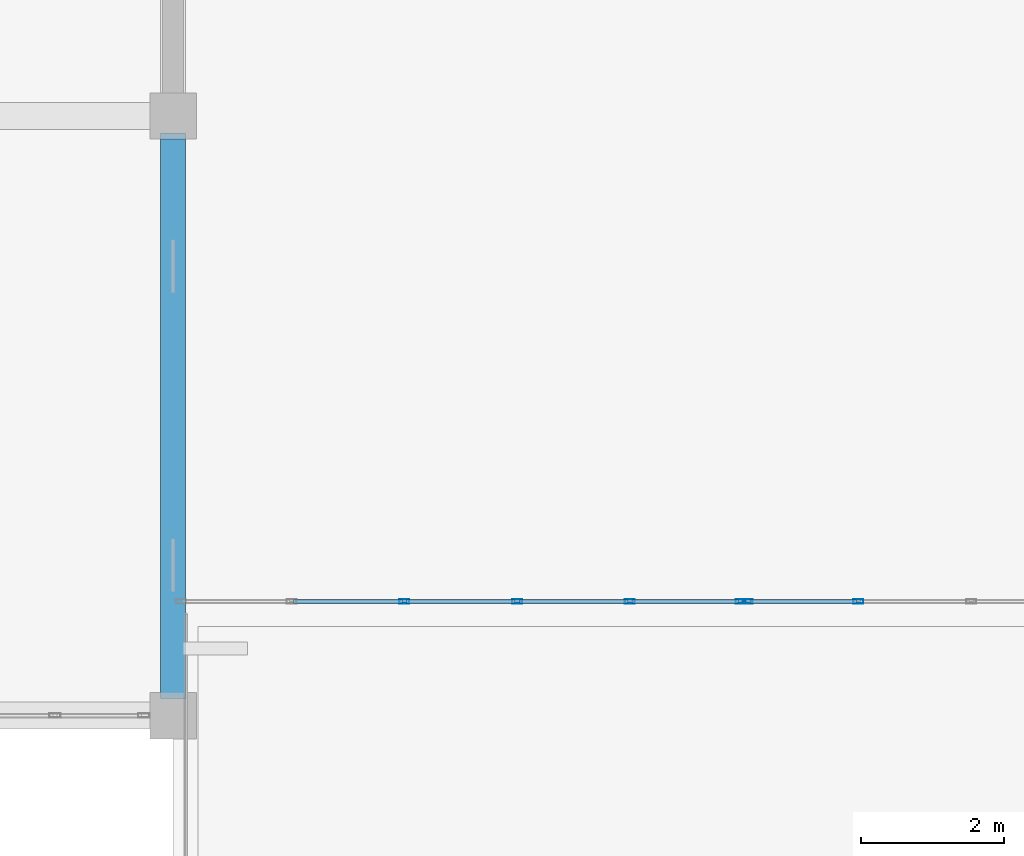
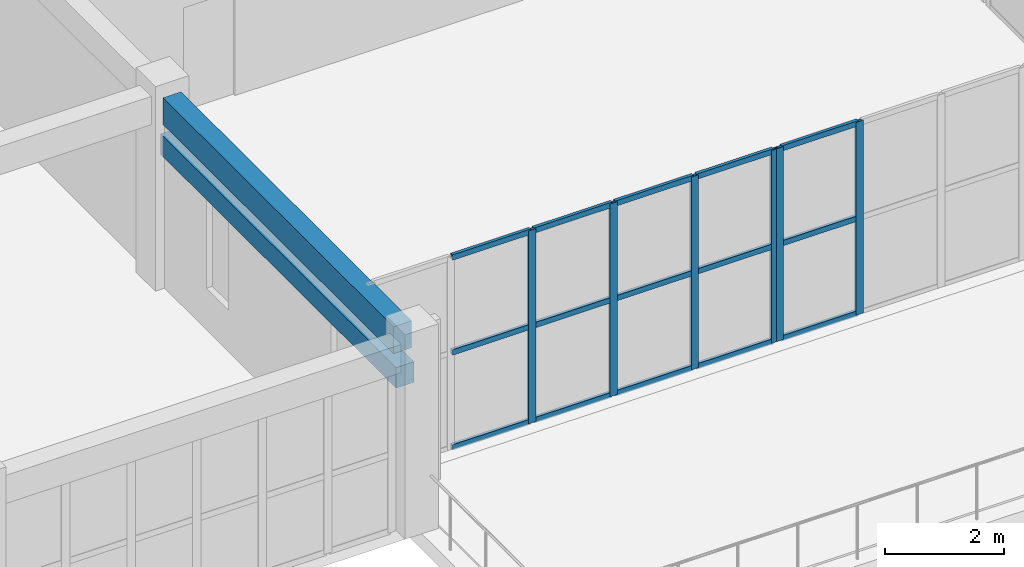
# One storey, part 27 of 90: 21 members, 2 beams, 2 elements without a shape of their own.
"""IFC4 building model written with IfcOpenShell, lengths in metres."""

from ifc_helpers import new_model, si_unit, direction, frame, origin, origin_2d, place, context, subcontext, project, spatial, rectangle, hollow_rectangle, extrude, material, layer, layer_set, material_profile, profile_set, type_object, element, aggregate, save


model = new_model("IFC4")

# Units and contexts
model_context = context("Model", 3, precision=1e-05, world=origin(), true_north=direction((0.0, 1.0)))
body_context = subcontext(model_context, "Body", "Model", "MODEL_VIEW")
ifc_project = project(units=[si_unit("LENGTHUNIT", "METRE"), si_unit("AREAUNIT", "SQUARE_METRE"), si_unit("VOLUMEUNIT", "CUBIC_METRE"), si_unit("PLANEANGLEUNIT", "RADIAN"), si_unit("MASSUNIT", "GRAM", prefix="KILO")], contexts=[model_context])

# Site, building, storey
site_placement = place(None, origin())
site = spatial("IfcSite", under=ifc_project, at=site_placement, CompositionType="ELEMENT")
building_placement = place(site_placement, origin())
building = spatial("IfcBuilding", under=site, at=building_placement, Name="Trelvath General Hospital", CompositionType="ELEMENT")
storey_placement = place(building_placement, frame((0.0, 0.0, 20.39990234375)))
storey = spatial("IfcBuildingStorey", under=building, at=storey_placement, Name="L05", CompositionType="ELEMENT", Elevation=20.39990234375)

# Beam
ifc_material_1 = material(Name="Concrete C35/45", Category="concrete")
ifc_material_profile_1 = material_profile(ifc_material_1, rectangle(XDim=0.35009765625, YDim=0.550048828125, at=origin_2d()), Name="RCB350x550")
ifc_profile_set_1 = profile_set([ifc_material_profile_1], Name="Concrete C35/45")
beam_type_1 = type_object("IfcBeamType", Name="Beam RC350x550", PredefinedType="BEAM", material=ifc_profile_set_1)
beam_1_placement = place(storey_placement, frame((92.39990234375, 42.320068359375, 3.64501953125), z_axis=(0.0, 1.0, 0.0), x_axis=(-1.0, 0.0, 0.0)))
element("IfcBeam", 1, at=beam_1_placement, inside=storey, type_object=beam_type_1, Name="Grid Beam BY-511F", PredefinedType="BEAM", context=body_context, shape_type="SweptSolid", body=[
    extrude(rectangle(XDim=0.35009765625, YDim=0.550048828125, at=origin_2d()), origin(), (0.0, 0.0, 1.0), 7.760009765625),
])

# Curtain wall, members
ifc_material_2 = material(Name="Anodised aluminium and low-E glass", Category="aluminium")
ifc_layer = layer(ifc_material_2, 0.14990234375)
ifc_layer_set = layer_set([ifc_layer], Name="Anodised aluminium and low-E glass")
curtain_wall_type = type_object("IfcCurtainWallType", Name="CW CrystalCube 790 396 15", PredefinedType="USERDEFINED", material=ifc_layer_set)
curtain_wall_1_placement = place(storey_placement, origin())
curtain_wall_1 = element("IfcCurtainWall", 2, at=curtain_wall_1_placement, inside=storey, type_object=curtain_wall_type, Name="Crystal Cube Curtain Wall CUBE-E-T2 S1 L05", ObjectType="Unitised Glazed Curtain Wall", PredefinedType="USERDEFINED")
ifc_material_3 = material(Name="Anodised aluminium", Category="aluminium")
ifc_material_profile_2 = material_profile(ifc_material_3, hollow_rectangle(XDim=0.06005859375, YDim=0.139892578125, WallThickness=0.00390625, at=origin_2d()), Name="RHS60x140x4")
ifc_profile_set_2 = profile_set([ifc_material_profile_2], Name="Anodised aluminium")
member_type_1 = type_object("IfcMemberType", Name="CurtainMullion 60x140", PredefinedType="MULLION", material=ifc_profile_set_2)
member_1_placement = place(storey_placement, frame((100.35009765625, 43.60009765625, 0.0), z_axis=(0.0, 0.0, 1.0), x_axis=(0.0, -1.0, 0.0)))
member_1 = element("IfcMember", 3, at=member_1_placement, type_object=member_type_1, Name="CW-315 mullion 1", PredefinedType="MULLION", context=body_context, shape_type="SweptSolid", body=[
    extrude(hollow_rectangle(XDim=0.06005859375, YDim=0.139892578125, WallThickness=0.00390625, at=origin_2d()), origin(), (0.0, 0.0, 1.0), 3.960205078125),
])
member_2_placement = place(storey_placement, frame((98.800048828125, 43.60009765625, 0.0), z_axis=(0.0, 0.0, 1.0), x_axis=(0.0, -1.0, 0.0)))
member_2 = element("IfcMember", 4, at=member_2_placement, type_object=member_type_1, Name="CW-315 mullion 2", PredefinedType="MULLION", context=body_context, shape_type="SweptSolid", body=[
    extrude(hollow_rectangle(XDim=0.06005859375, YDim=0.139892578125, WallThickness=0.00390625, at=origin_2d()), origin(), (0.0, 0.0, 1.0), 3.960205078125),
])
member_3_placement = place(storey_placement, frame((97.219970703125, 43.60009765625, 0.0), z_axis=(0.0, 0.0, 1.0), x_axis=(0.0, -1.0, 0.0)))
member_3 = element("IfcMember", 5, at=member_3_placement, type_object=member_type_1, Name="CW-315 mullion 3", PredefinedType="MULLION", context=body_context, shape_type="SweptSolid", body=[
    extrude(hollow_rectangle(XDim=0.06005859375, YDim=0.139892578125, WallThickness=0.00390625, at=origin_2d()), origin(), (0.0, 0.0, 1.0), 3.960205078125),
])
member_4_placement = place(storey_placement, frame((95.639892578125, 43.60009765625, 0.0), z_axis=(0.0, 0.0, 1.0), x_axis=(0.0, -1.0, 0.0)))
member_4 = element("IfcMember", 6, at=member_4_placement, type_object=member_type_1, Name="CW-315 mullion 4", PredefinedType="MULLION", context=body_context, shape_type="SweptSolid", body=[
    extrude(hollow_rectangle(XDim=0.06005859375, YDim=0.139892578125, WallThickness=0.00390625, at=origin_2d()), origin(), (0.0, 0.0, 1.0), 3.960205078125),
])

curtain_wall_2_placement = place(storey_placement, origin())
curtain_wall_2 = element("IfcCurtainWall", 7, at=curtain_wall_2_placement, inside=storey, type_object=curtain_wall_type, Name="Crystal Cube Curtain Wall CUBE-E-T2 S2 L05", ObjectType="Unitised Glazed Curtain Wall", PredefinedType="USERDEFINED")
member_5_placement = place(storey_placement, frame((102.0, 43.60009765625, 0.0), z_axis=(0.0, 0.0, 1.0), x_axis=(0.0, -1.0, 0.0)))
member_5 = element("IfcMember", 8, at=member_5_placement, type_object=member_type_1, Name="CW-316 mullion 5", PredefinedType="MULLION", context=body_context, shape_type="SweptSolid", body=[
    extrude(hollow_rectangle(XDim=0.06005859375, YDim=0.139892578125, WallThickness=0.00390625, at=origin_2d()), origin(), (0.0, 0.0, 1.0), 3.960205078125),
])
member_6_placement = place(storey_placement, frame((100.449951171875, 43.60009765625, 0.0), z_axis=(0.0, 0.0, 1.0), x_axis=(0.0, -1.0, 0.0)))
member_6 = element("IfcMember", 9, at=member_6_placement, type_object=member_type_1, Name="CW-316 mullion 6", PredefinedType="MULLION", context=body_context, shape_type="SweptSolid", body=[
    extrude(hollow_rectangle(XDim=0.06005859375, YDim=0.139892578125, WallThickness=0.00390625, at=origin_2d()), origin(), (0.0, 0.0, 1.0), 3.960205078125),
])

# Member
ifc_material_4 = material(Name="Anodised aluminium", Category="aluminium")
ifc_material_profile_3 = material_profile(ifc_material_4, hollow_rectangle(XDim=0.06005859375, YDim=0.110107421875, WallThickness=0.00390625, at=origin_2d()), Name="RHS60x110x4")
ifc_profile_set_3 = profile_set([ifc_material_profile_3], Name="Anodised aluminium")
member_type_2 = type_object("IfcMemberType", Name="CurtainTransom 60x110", PredefinedType="USERDEFINED", material=ifc_profile_set_3)
member_7_placement = place(storey_placement, frame((100.320068359375, 43.60009765625, 0.030029296875), z_axis=(-1.0, 0.0, 0.0), x_axis=(0.0, -1.0, 0.0)))
member_7 = element("IfcMember", 10, at=member_7_placement, type_object=member_type_2, Name="CW-315 transom 1.1", ObjectType="TRANSOM", PredefinedType="USERDEFINED", context=body_context, shape_type="SweptSolid", body=[
    extrude(hollow_rectangle(XDim=0.06005859375, YDim=0.110107421875, WallThickness=0.00390625, at=origin_2d()), origin(), (0.0, 0.0, 1.0), 1.489990234375),
])

member_8_placement = place(storey_placement, frame((100.320068359375, 43.60009765625, 1.97998046875), z_axis=(-1.0, 0.0, 0.0), x_axis=(0.0, -1.0, 0.0)))
member_8 = element("IfcMember", 11, at=member_8_placement, type_object=member_type_2, Name="CW-315 transom 1.2", ObjectType="TRANSOM", PredefinedType="USERDEFINED", context=body_context, shape_type="SweptSolid", body=[
    extrude(hollow_rectangle(XDim=0.06005859375, YDim=0.110107421875, WallThickness=0.00390625, at=origin_2d()), origin(), (0.0, 0.0, 1.0), 1.489990234375),
])

member_9_placement = place(storey_placement, frame((100.320068359375, 43.60009765625, 3.93017578125), z_axis=(-1.0, 0.0, 0.0), x_axis=(0.0, -1.0, 0.0)))
member_9 = element("IfcMember", 12, at=member_9_placement, type_object=member_type_2, Name="CW-315 transom 1.3", ObjectType="TRANSOM", PredefinedType="USERDEFINED", context=body_context, shape_type="SweptSolid", body=[
    extrude(hollow_rectangle(XDim=0.06005859375, YDim=0.110107421875, WallThickness=0.00390625, at=origin_2d()), origin(), (0.0, 0.0, 1.0), 1.489990234375),
])

member_10_placement = place(storey_placement, frame((98.77001953125, 43.60009765625, 0.030029296875), z_axis=(-1.0, 0.0, 0.0), x_axis=(0.0, -1.0, 0.0)))
member_10 = element("IfcMember", 13, at=member_10_placement, type_object=member_type_2, Name="CW-315 transom 2.1", ObjectType="TRANSOM", PredefinedType="USERDEFINED", context=body_context, shape_type="SweptSolid", body=[
    extrude(hollow_rectangle(XDim=0.06005859375, YDim=0.110107421875, WallThickness=0.00390625, at=origin_2d()), origin(), (0.0, 0.0, 1.0), 1.52001953125),
])

member_11_placement = place(storey_placement, frame((98.77001953125, 43.60009765625, 1.97998046875), z_axis=(-1.0, 0.0, 0.0), x_axis=(0.0, -1.0, 0.0)))
member_11 = element("IfcMember", 14, at=member_11_placement, type_object=member_type_2, Name="CW-315 transom 2.2", ObjectType="TRANSOM", PredefinedType="USERDEFINED", context=body_context, shape_type="SweptSolid", body=[
    extrude(hollow_rectangle(XDim=0.06005859375, YDim=0.110107421875, WallThickness=0.00390625, at=origin_2d()), origin(), (0.0, 0.0, 1.0), 1.52001953125),
])

member_12_placement = place(storey_placement, frame((98.77001953125, 43.60009765625, 3.93017578125), z_axis=(-1.0, 0.0, 0.0), x_axis=(0.0, -1.0, 0.0)))
member_12 = element("IfcMember", 15, at=member_12_placement, type_object=member_type_2, Name="CW-315 transom 2.3", ObjectType="TRANSOM", PredefinedType="USERDEFINED", context=body_context, shape_type="SweptSolid", body=[
    extrude(hollow_rectangle(XDim=0.06005859375, YDim=0.110107421875, WallThickness=0.00390625, at=origin_2d()), origin(), (0.0, 0.0, 1.0), 1.52001953125),
])

member_13_placement = place(storey_placement, frame((97.18994140625, 43.60009765625, 0.030029296875), z_axis=(-1.0, 0.0, 0.0), x_axis=(0.0, -1.0, 0.0)))
member_13 = element("IfcMember", 16, at=member_13_placement, type_object=member_type_2, Name="CW-315 transom 3.1", ObjectType="TRANSOM", PredefinedType="USERDEFINED", context=body_context, shape_type="SweptSolid", body=[
    extrude(hollow_rectangle(XDim=0.06005859375, YDim=0.110107421875, WallThickness=0.00390625, at=origin_2d()), origin(), (0.0, 0.0, 1.0), 1.52001953125),
])

member_14_placement = place(storey_placement, frame((97.18994140625, 43.60009765625, 1.97998046875), z_axis=(-1.0, 0.0, 0.0), x_axis=(0.0, -1.0, 0.0)))
member_14 = element("IfcMember", 17, at=member_14_placement, type_object=member_type_2, Name="CW-315 transom 3.2", ObjectType="TRANSOM", PredefinedType="USERDEFINED", context=body_context, shape_type="SweptSolid", body=[
    extrude(hollow_rectangle(XDim=0.06005859375, YDim=0.110107421875, WallThickness=0.00390625, at=origin_2d()), origin(), (0.0, 0.0, 1.0), 1.52001953125),
])

member_15_placement = place(storey_placement, frame((97.18994140625, 43.60009765625, 3.93017578125), z_axis=(-1.0, 0.0, 0.0), x_axis=(0.0, -1.0, 0.0)))
member_15 = element("IfcMember", 18, at=member_15_placement, type_object=member_type_2, Name="CW-315 transom 3.3", ObjectType="TRANSOM", PredefinedType="USERDEFINED", context=body_context, shape_type="SweptSolid", body=[
    extrude(hollow_rectangle(XDim=0.06005859375, YDim=0.110107421875, WallThickness=0.00390625, at=origin_2d()), origin(), (0.0, 0.0, 1.0), 1.52001953125),
])

member_16_placement = place(storey_placement, frame((95.610107421875, 43.60009765625, 0.030029296875), z_axis=(-1.0, 0.0, 0.0), x_axis=(0.0, -1.0, 0.0)))
member_16 = element("IfcMember", 19, at=member_16_placement, type_object=member_type_2, Name="CW-315 transom 4.1", ObjectType="TRANSOM", PredefinedType="USERDEFINED", context=body_context, shape_type="SweptSolid", body=[
    extrude(hollow_rectangle(XDim=0.06005859375, YDim=0.110107421875, WallThickness=0.00390625, at=origin_2d()), origin(), (0.0, 0.0, 1.0), 1.52001953125),
])

member_17_placement = place(storey_placement, frame((95.610107421875, 43.60009765625, 1.97998046875), z_axis=(-1.0, 0.0, 0.0), x_axis=(0.0, -1.0, 0.0)))
member_17 = element("IfcMember", 20, at=member_17_placement, type_object=member_type_2, Name="CW-315 transom 4.2", ObjectType="TRANSOM", PredefinedType="USERDEFINED", context=body_context, shape_type="SweptSolid", body=[
    extrude(hollow_rectangle(XDim=0.06005859375, YDim=0.110107421875, WallThickness=0.00390625, at=origin_2d()), origin(), (0.0, 0.0, 1.0), 1.52001953125),
])

member_18_placement = place(storey_placement, frame((95.610107421875, 43.60009765625, 3.93017578125), z_axis=(-1.0, 0.0, 0.0), x_axis=(0.0, -1.0, 0.0)))
member_18 = element("IfcMember", 21, at=member_18_placement, type_object=member_type_2, Name="CW-315 transom 4.3", ObjectType="TRANSOM", PredefinedType="USERDEFINED", context=body_context, shape_type="SweptSolid", body=[
    extrude(hollow_rectangle(XDim=0.06005859375, YDim=0.110107421875, WallThickness=0.00390625, at=origin_2d()), origin(), (0.0, 0.0, 1.0), 1.52001953125),
])

aggregate(curtain_wall_1, [member_1, member_2, member_3, member_4, member_7, member_8, member_9, member_10, member_11, member_12, member_13, member_14, member_15, member_16, member_17, member_18])

member_19_placement = place(storey_placement, frame((101.969970703125, 43.60009765625, 0.030029296875), z_axis=(-1.0, 0.0, 0.0), x_axis=(0.0, -1.0, 0.0)))
member_19 = element("IfcMember", 22, at=member_19_placement, type_object=member_type_2, Name="CW-316 transom 5.1", ObjectType="TRANSOM", PredefinedType="USERDEFINED", context=body_context, shape_type="SweptSolid", body=[
    extrude(hollow_rectangle(XDim=0.06005859375, YDim=0.110107421875, WallThickness=0.00390625, at=origin_2d()), origin(), (0.0, 0.0, 1.0), 1.489990234375),
])

member_20_placement = place(storey_placement, frame((101.969970703125, 43.60009765625, 1.97998046875), z_axis=(-1.0, 0.0, 0.0), x_axis=(0.0, -1.0, 0.0)))
member_20 = element("IfcMember", 23, at=member_20_placement, type_object=member_type_2, Name="CW-316 transom 5.2", ObjectType="TRANSOM", PredefinedType="USERDEFINED", context=body_context, shape_type="SweptSolid", body=[
    extrude(hollow_rectangle(XDim=0.06005859375, YDim=0.110107421875, WallThickness=0.00390625, at=origin_2d()), origin(), (0.0, 0.0, 1.0), 1.489990234375),
])

member_21_placement = place(storey_placement, frame((101.969970703125, 43.60009765625, 3.93017578125), z_axis=(-1.0, 0.0, 0.0), x_axis=(0.0, -1.0, 0.0)))
member_21 = element("IfcMember", 24, at=member_21_placement, type_object=member_type_2, Name="CW-316 transom 5.3", ObjectType="TRANSOM", PredefinedType="USERDEFINED", context=body_context, shape_type="SweptSolid", body=[
    extrude(hollow_rectangle(XDim=0.06005859375, YDim=0.110107421875, WallThickness=0.00390625, at=origin_2d()), origin(), (0.0, 0.0, 1.0), 1.489990234375),
])

aggregate(curtain_wall_2, [member_5, member_6, member_19, member_20, member_21])

# Beam
ifc_material_5 = material(Name="Precast concrete C40/50", Category="concrete")
ifc_material_profile_4 = material_profile(ifc_material_5, rectangle(XDim=0.35009765625, YDim=0.419921875, at=origin_2d()), Name="PCL350x420")
ifc_profile_set_4 = profile_set([ifc_material_profile_4], Name="Precast concrete C40/50")
beam_type_2 = type_object("IfcBeamType", Name="Lintel PC350x420", PredefinedType="LINTEL", material=ifc_profile_set_4)
beam_2_placement = place(storey_placement, frame((92.39990234375, 50.159912109375, 2.920166015625), z_axis=(0.0, -1.0, 0.0), x_axis=(1.0, 0.0, 0.0)))
element("IfcBeam", 25, at=beam_2_placement, inside=storey, type_object=beam_type_2, Name="Precast Window Brow Lintel L05-525", PredefinedType="LINTEL", context=body_context, shape_type="SweptSolid", body=[
    extrude(rectangle(XDim=0.35009765625, YDim=0.419921875, at=origin_2d()), origin(), (0.0, 0.0, 1.0), 7.919921875),
])

save(model, "model.ifc")
